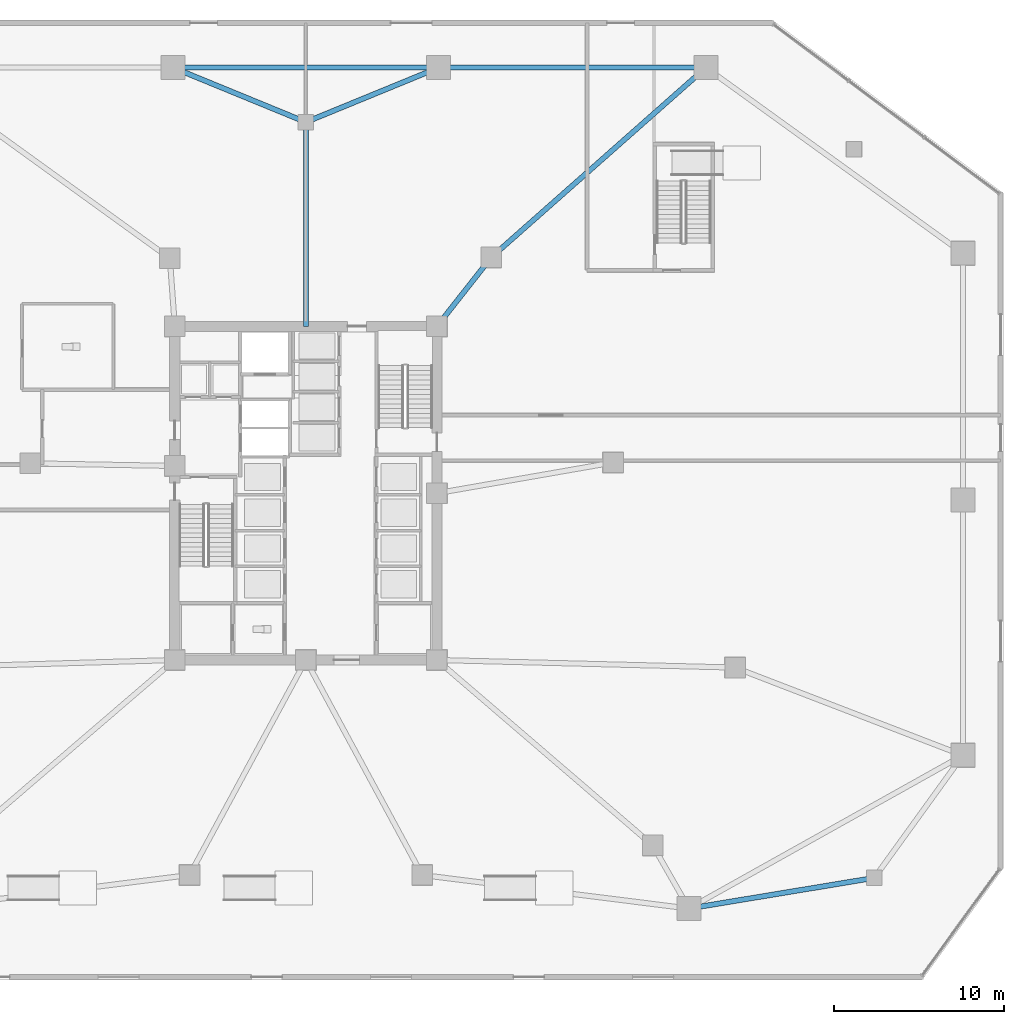
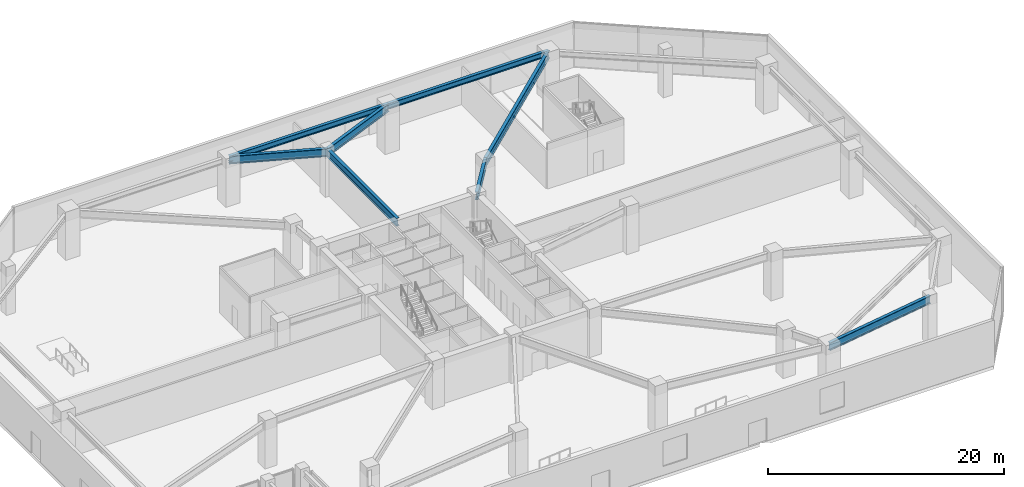
# One storey, part 5 of 22: 8 beams.
"""IFC4 building model written with IfcOpenShell, lengths in metres."""

from ifc_helpers import new_model, si_unit, direction, frame, origin, origin_2d, place, context, subcontext, project, spatial, i_section, extrude, material, material_profile, profile_set, type_object, element, save


model = new_model("IFC4")

# Units and contexts
model_context = context("Model", 3, precision=1e-05, world=origin(), true_north=direction((0.0, 1.0)))
body_context = subcontext(model_context, "Body", "Model", "MODEL_VIEW")
ifc_project = project(units=[si_unit("LENGTHUNIT", "METRE"), si_unit("AREAUNIT", "SQUARE_METRE"), si_unit("VOLUMEUNIT", "CUBIC_METRE"), si_unit("PLANEANGLEUNIT", "RADIAN"), si_unit("MASSUNIT", "GRAM", prefix="KILO")], contexts=[model_context])

# Site, building, storey
site_placement = place(None, origin())
site = spatial("IfcSite", under=ifc_project, at=site_placement, CompositionType="ELEMENT")
building_placement = place(site_placement, origin())
building = spatial("IfcBuilding", under=site, at=building_placement, Name="Savorim Split Tower", CompositionType="ELEMENT")
storey_placement = place(building_placement, origin())
storey = spatial("IfcBuildingStorey", under=building, at=storey_placement, Name="L00", CompositionType="ELEMENT", Elevation=0.0)

# Beams
ifc_material_1 = material(Name="Steel S460", Category="steel")
ifc_material_profile_1 = material_profile(ifc_material_1, i_section(OverallWidth=0.302978515625, OverallDepth=0.81396484375, WebThickness=0.02099609375, FlangeThickness=0.0400390625, FilletRadius=0.030029296875, at=origin_2d()), Name="HE 800 M")
ifc_profile_set_1 = profile_set([ifc_material_profile_1], Name="Steel S460")
beam_type_1 = type_object("IfcBeamType", Name="BM-PRI-HEM800", PredefinedType="BEAM", material=ifc_profile_set_1)
beam_1_placement = place(storey_placement, frame((22.5, -24.0, 4.31298828125), z_axis=(0.986636527583, 0.162936682298, 0.0), x_axis=(-0.162936682298, 0.986636527583, 0.0)))
element("IfcBeam", 1, at=beam_1_placement, inside=storey, type_object=beam_type_1, Name="L00 Podium Primary Girder BG-05", PredefinedType="BEAM", context=body_context, shape_type="SweptSolid", body=[
    extrude(i_section(OverallWidth=0.302978515625, OverallDepth=0.81396484375, WebThickness=0.02099609375, FlangeThickness=0.0400390625, FilletRadius=0.030029296875, at=origin_2d()), origin(), (0.0, 0.0, 1.0), 11.047607421875),
])
beam_2_placement = place(storey_placement, frame((23.5, 25.39990234375, 4.31298828125), z_axis=(-0.749278545997, -0.66225498149, 0.0), x_axis=(0.66225498149, -0.749278545997, 0.0)))
element("IfcBeam", 2, at=beam_2_placement, inside=storey, type_object=beam_type_1, Name="L00 Podium Primary Girder BG-11", PredefinedType="BEAM", context=body_context, shape_type="SweptSolid", body=[
    extrude(i_section(OverallWidth=0.302978515625, OverallDepth=0.81396484375, WebThickness=0.02099609375, FlangeThickness=0.0400390625, FilletRadius=0.030029296875, at=origin_2d()), origin(), (0.0, 0.0, 1.0), 16.83544921875),
])
for number, where, z_axis, x_axis, name in (
    (3, (7.800048828125, 25.39990234375, 4.31298828125), (-0.925171486421, -0.379549365317, 0.0), (0.379549365317, -0.925171486421, 0.0), "L00 Podium Primary Girder BG-12"),
    (4, (-7.800048828125, 25.39990234375, 4.31298828125), (0.925171486421, -0.379549365317, 0.0), (0.379549365317, 0.925171486421, 0.0), "L00 Podium Primary Girder BG-13"),
):
    element("IfcBeam", number, at=place(storey_placement, frame(where, z_axis=z_axis, x_axis=x_axis)), inside=storey, type_object=beam_type_1, Name=name, PredefinedType="BEAM", context=body_context, shape_type="SweptSolid", body=[
        extrude(i_section(OverallWidth=0.302978515625, OverallDepth=0.81396484375, WebThickness=0.02099609375, FlangeThickness=0.0400390625, FilletRadius=0.030029296875, at=origin_2d()), origin(), (0.0, 0.0, 1.0), 8.430908203125),
    ])
beam_3_placement = place(storey_placement, frame((0.0, 22.199951171875, 4.31298828125), z_axis=(0.0, -1.0, 0.0), x_axis=(1.0, 0.0, 0.0)))
element("IfcBeam", 5, at=beam_3_placement, inside=storey, type_object=beam_type_1, Name="L00 Podium Primary Girder BG-14", PredefinedType="BEAM", context=body_context, shape_type="SweptSolid", body=[
    extrude(i_section(OverallWidth=0.302978515625, OverallDepth=0.81396484375, WebThickness=0.02099609375, FlangeThickness=0.0400390625, FilletRadius=0.030029296875, at=origin_2d()), origin(), (0.0, 0.0, 1.0), 12.0),
])
beam_4_placement = place(storey_placement, frame((10.885498046875, 14.25048828125, 4.31298828125), z_axis=(-0.618179283891, -0.786037132054, 0.0), x_axis=(0.786037132054, -0.618179283891, 0.0)))
element("IfcBeam", 6, at=beam_4_placement, inside=storey, type_object=beam_type_1, Name="L00 Podium Primary Girder BG-28", PredefinedType="BEAM", context=body_context, shape_type="SweptSolid", body=[
    extrude(i_section(OverallWidth=0.302978515625, OverallDepth=0.81396484375, WebThickness=0.02099609375, FlangeThickness=0.0400390625, FilletRadius=0.030029296875, at=origin_2d()), origin(), (0.0, 0.0, 1.0), 5.153076171875),
])
ifc_material_2 = material(Name="Steel S355", Category="steel")
ifc_material_profile_2 = material_profile(ifc_material_2, i_section(OverallWidth=0.300048828125, OverallDepth=0.590087890625, WebThickness=0.012939453125, FlangeThickness=0.02490234375, FilletRadius=0.027099609375, at=origin_2d()), Name="HEA 600")
ifc_profile_set_2 = profile_set([ifc_material_profile_2], Name="Steel S355")
beam_type_2 = type_object("IfcBeamType", Name="BM-SPN-HEA600", PredefinedType="SPANDREL", material=ifc_profile_set_2)
beam_5_placement = place(storey_placement, frame((23.5, 25.39990234375, 4.425048828125), z_axis=(-1.0, 0.0, 0.0), x_axis=(0.0, -1.0, 0.0)))
element("IfcBeam", 7, at=beam_5_placement, inside=storey, type_object=beam_type_2, Name="L00 Podium Spandrel Beam 6", PredefinedType="SPANDREL", context=body_context, shape_type="SweptSolid", body=[
    extrude(i_section(OverallWidth=0.300048828125, OverallDepth=0.590087890625, WebThickness=0.012939453125, FlangeThickness=0.02490234375, FilletRadius=0.027099609375, at=origin_2d()), origin(), (0.0, 0.0, 1.0), 15.699951171875),
])
beam_6_placement = place(storey_placement, frame((7.800048828125, 25.39990234375, 4.425048828125), z_axis=(-1.0, 0.0, 0.0), x_axis=(0.0, -1.0, 0.0)))
element("IfcBeam", 8, at=beam_6_placement, inside=storey, type_object=beam_type_2, Name="L00 Podium Spandrel Beam 7", PredefinedType="SPANDREL", context=body_context, shape_type="SweptSolid", body=[
    extrude(i_section(OverallWidth=0.300048828125, OverallDepth=0.590087890625, WebThickness=0.012939453125, FlangeThickness=0.02490234375, FilletRadius=0.027099609375, at=origin_2d()), origin(), (0.0, 0.0, 1.0), 15.60009765625),
])

save(model, "model.ifc")
